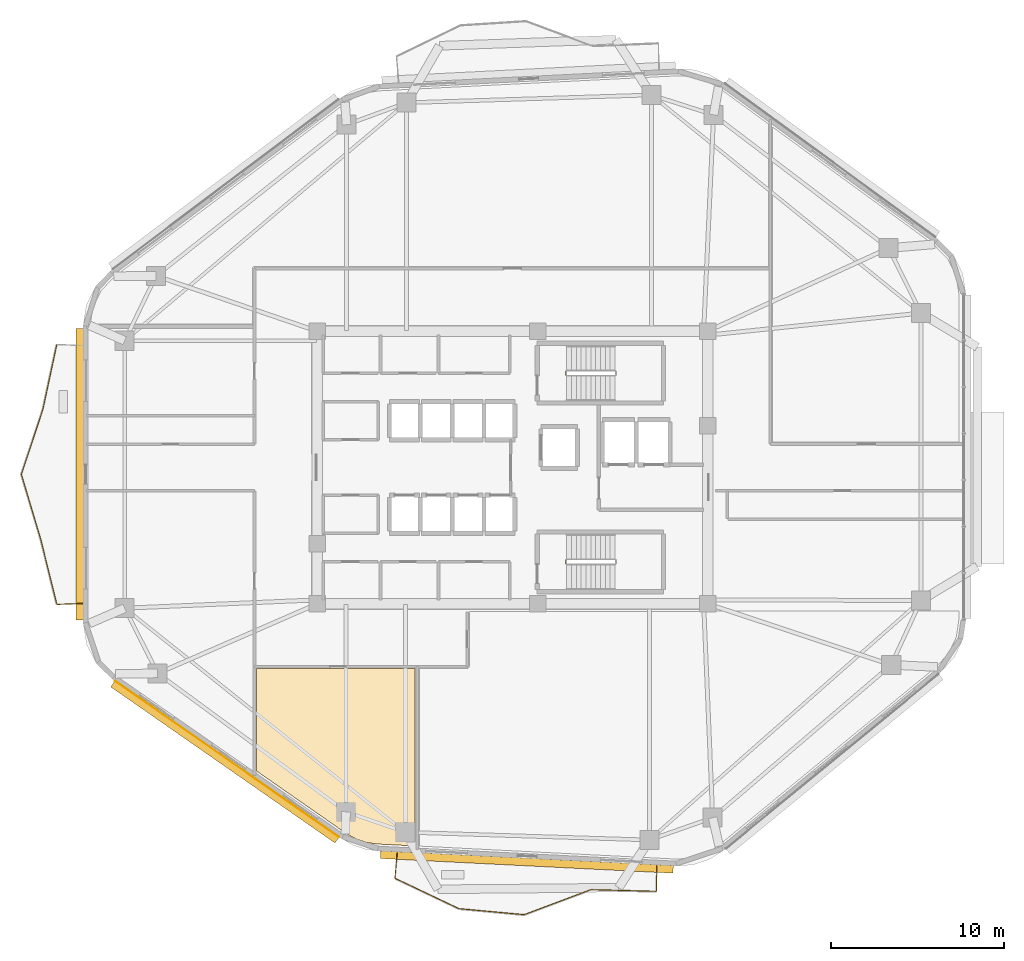
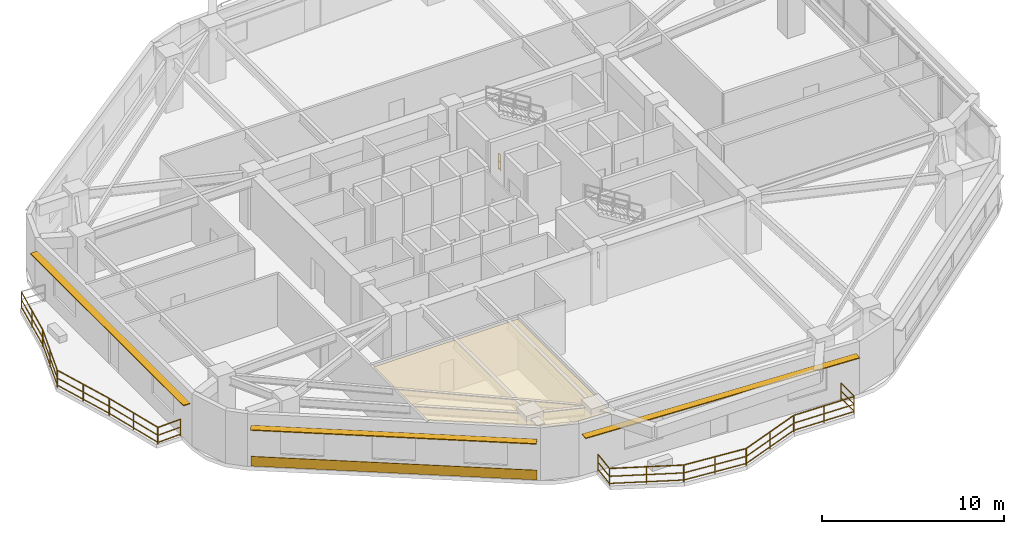
# One storey, part 13 of 15: 13 railings, 3 shading devices, 2 coverings.
"""IFC4 building model written with IfcOpenShell, lengths in metres."""

from ifc_helpers import new_model, si_unit, direction, frame, origin, origin_2d, place, context, subcontext, project, spatial, polyline, rectangle, outline, extrude, material, layer, layer_set, type_object, element, save


model = new_model("IFC4")

# Units and contexts
model_context = context("Model", 3, precision=1e-05, world=origin(), true_north=direction((0.0, 1.0)))
body_context = subcontext(model_context, "Body", "Model", "MODEL_VIEW")
ifc_project = project(units=[si_unit("LENGTHUNIT", "METRE"), si_unit("AREAUNIT", "SQUARE_METRE"), si_unit("VOLUMEUNIT", "CUBIC_METRE"), si_unit("PLANEANGLEUNIT", "RADIAN"), si_unit("MASSUNIT", "GRAM", prefix="KILO")], contexts=[model_context])

# Site, building, storey
site_placement = place(None, origin())
site = spatial("IfcSite", under=ifc_project, at=site_placement, CompositionType="ELEMENT")
building_placement = place(site_placement, origin())
building = spatial("IfcBuilding", under=site, at=building_placement, Name="Zulverin Broadcast Headquarters", CompositionType="ELEMENT")
storey_placement = place(building_placement, frame((0.0, 0.0, 132.60009765625)))
storey = spatial("IfcBuildingStorey", under=building, at=storey_placement, Name="L33", CompositionType="ELEMENT", Elevation=132.60009765625)

# Coverings
ifc_material_1 = material(Name="Perforated pale-metal acoustic baffle ceiling", Category="aluminium")
ifc_layer_1 = layer(ifc_material_1, 0.0400390625, Name="Perforated pale-metal acoustic baffle ceiling", Category="aluminium")
ifc_layer_set_1 = layer_set([ifc_layer_1], Name="Perforated pale-metal acoustic baffle ceiling")
covering_type_1 = type_object("IfcCoveringType", Name="COV-CEIL-ACOU", PredefinedType="CEILING", material=ifc_layer_set_1)
covering_1_placement = place(storey_placement, frame((0.0, 0.0, 3.35986328125)))
element("IfcCovering", 1, at=covering_1_placement, inside=storey, type_object=covering_type_1, Name="L33 Acoustic Baffle Ceiling 02", PredefinedType="CEILING", context=body_context, shape_type="SweptSolid", body=[
    extrude(outline(polyline([(27.947998046875, 3.748046875), (28.56396484375, 3.535888671875), (29.22802734375, 3.444091796875), (31.3798828125, 3.3359375), (31.3798828125, 13.580078125), (22.219970703125, 13.580078125), (22.219970703125, 7.6640625), (27.367919921875, 4.075927734375), (27.947998046875, 3.748046875)])), origin(), (0.0, 0.0, 1.0), 0.0400390625),
])
ifc_material_2 = material(Name="Brushed pale-aluminium rainscreen cladding", Category="aluminium")
ifc_layer_2 = layer(ifc_material_2, 0.0400390625, Name="Brushed pale-aluminium rainscreen cladding", Category="aluminium")
ifc_layer_set_2 = layer_set([ifc_layer_2], Name="Brushed pale-aluminium rainscreen cladding")
covering_type_2 = type_object("IfcCoveringType", Name="COV-CLAD-PALE", PredefinedType="CLADDING", material=ifc_layer_set_2)
covering_2_placement = place(storey_placement, frame((20.507568359375, 8.35400390625, 0.054931640625), z_axis=(0.0, 0.0, 1.0), x_axis=(0.820695732456, -0.57136548262, 0.0)))
element("IfcCovering", 2, at=covering_2_placement, inside=storey, type_object=covering_type_2, Name="L33 Brushed Pale-Aluminium Spandrel Cladding 8", PredefinedType="CLADDING", context=body_context, shape_type="SweptSolid", body=[
    extrude(rectangle(XDim=15.785400390625, YDim=0.0400390625, at=origin_2d()), origin(), (0.0, 0.0, 1.0), 0.64990234375),
])

# Railings
ifc_material_3 = material(Name="Brushed stainless steel & laminated glass balustrade", Category="steel")
railing_type_1 = type_object("IfcRailingType", Name="RL-GUARD-1150", PredefinedType="GUARDRAIL", material=ifc_material_3)
railing_1_placement = place(storey_placement, frame((10.677001953125, 32.30419921875, 0.0)))
element("IfcRailing", 3, at=railing_1_placement, inside=storey, type_object=railing_type_1, Name="L33 Vertical-Forest Balcony Guardrail BAL_W Segment 02", PredefinedType="GUARDRAIL", context=body_context, shape_type="SweptSolid", body=[
    extrude(rectangle(XDim=0.048095703125, YDim=0.048095703125, at=origin_2d()), frame((0.0, 0.0, 1.1259765625), z_axis=(-0.209555323477, -0.977796791978, 0.0), x_axis=(0.977796791978, -0.209555323477, 0.0)), (0.0, 0.0, 1.0), 3.813232421875),
    extrude(rectangle(XDim=0.0419921875, YDim=0.0419921875, at=origin_2d()), frame((0.0, 0.0, 0.597900390625), z_axis=(-0.209555323477, -0.977796791978, 0.0), x_axis=(0.977796791978, -0.209555323477, 0.0)), (0.0, 0.0, 1.0), 3.813232421875),
    extrude(rectangle(XDim=0.0419921875, YDim=0.0419921875, at=origin_2d()), frame((0.0, 0.0, 0.1201171875), z_axis=(-0.209555323477, -0.977796791978, 0.0), x_axis=(0.977796791978, -0.209555323477, 0.0)), (0.0, 0.0, 1.0), 3.813232421875),
    extrude(rectangle(XDim=0.0419921875, YDim=0.0419921875, at=origin_2d()), origin(), (0.0, 0.0, 1.0), 1.101806640625),
    extrude(rectangle(XDim=0.0419921875, YDim=0.0419921875, at=origin_2d()), frame((-0.3994140625, -1.8642578125, 0.0)), (0.0, 0.0, 1.0), 1.101806640625),
    extrude(rectangle(XDim=0.0419921875, YDim=0.0419921875, at=origin_2d()), frame((-0.799072265625, -3.728515625, 0.0)), (0.0, 0.0, 1.0), 1.101806640625),
])
railing_2_placement = place(storey_placement, frame((9.8701171875, 28.546630859375, 0.0)))
element("IfcRailing", 4, at=railing_2_placement, inside=storey, type_object=railing_type_1, Name="L33 Vertical-Forest Balcony Guardrail BAL_W Segment 03", PredefinedType="GUARDRAIL", context=body_context, shape_type="SweptSolid", body=[
    extrude(rectangle(XDim=0.048095703125, YDim=0.048095703125, at=origin_2d()), frame((0.0, 0.0, 1.1259765625), z_axis=(-0.314437519407, -0.949278171238, 0.0), x_axis=(0.949278171238, -0.314437519407, 0.0)), (0.0, 0.0, 1.0), 3.9287109375),
    extrude(rectangle(XDim=0.0419921875, YDim=0.0419921875, at=origin_2d()), frame((0.0, 0.0, 0.597900390625), z_axis=(-0.314437519407, -0.949278171238, 0.0), x_axis=(0.949278171238, -0.314437519407, 0.0)), (0.0, 0.0, 1.0), 3.9287109375),
    extrude(rectangle(XDim=0.0419921875, YDim=0.0419921875, at=origin_2d()), frame((0.0, 0.0, 0.1201171875), z_axis=(-0.314437519407, -0.949278171238, 0.0), x_axis=(0.949278171238, -0.314437519407, 0.0)), (0.0, 0.0, 1.0), 3.9287109375),
    extrude(rectangle(XDim=0.0419921875, YDim=0.0419921875, at=origin_2d()), origin(), (0.0, 0.0, 1.0), 1.101806640625),
    extrude(rectangle(XDim=0.0419921875, YDim=0.0419921875, at=origin_2d()), frame((-0.61767578125, -1.86474609375, 0.0)), (0.0, 0.0, 1.0), 1.101806640625),
    extrude(rectangle(XDim=0.0419921875, YDim=0.0419921875, at=origin_2d()), frame((-1.2353515625, -3.7294921875, 0.0)), (0.0, 0.0, 1.0), 1.101806640625),
])
railing_3_placement = place(storey_placement, frame((8.63427734375, 24.78857421875, 0.0)))
element("IfcRailing", 5, at=railing_3_placement, inside=storey, type_object=railing_type_1, Name="L33 Vertical-Forest Balcony Guardrail BAL_W Segment 04", PredefinedType="GUARDRAIL", context=body_context, shape_type="SweptSolid", body=[
    extrude(rectangle(XDim=0.048095703125, YDim=0.048095703125, at=origin_2d()), frame((0.0, 0.0, 1.1259765625), z_axis=(0.285764691988, -0.958299817809, 0.0), x_axis=(0.958299817809, 0.285764691988, 0.0)), (0.0, 0.0, 1.0), 3.8916015625),
    extrude(rectangle(XDim=0.0419921875, YDim=0.0419921875, at=origin_2d()), frame((0.0, 0.0, 0.597900390625), z_axis=(0.285764691988, -0.958299817809, 0.0), x_axis=(0.958299817809, 0.285764691988, 0.0)), (0.0, 0.0, 1.0), 3.8916015625),
    extrude(rectangle(XDim=0.0419921875, YDim=0.0419921875, at=origin_2d()), frame((0.0, 0.0, 0.1201171875), z_axis=(0.285764691988, -0.958299817809, 0.0), x_axis=(0.958299817809, 0.285764691988, 0.0)), (0.0, 0.0, 1.0), 3.8916015625),
    extrude(rectangle(XDim=0.0419921875, YDim=0.0419921875, at=origin_2d()), origin(), (0.0, 0.0, 1.0), 1.101806640625),
    extrude(rectangle(XDim=0.0419921875, YDim=0.0419921875, at=origin_2d()), frame((0.55615234375, -1.86474609375, 0.0)), (0.0, 0.0, 1.0), 1.101806640625),
    extrude(rectangle(XDim=0.0419921875, YDim=0.0419921875, at=origin_2d()), frame((1.112060546875, -3.729248046875, 0.0)), (0.0, 0.0, 1.0), 1.101806640625),
])
railing_4_placement = place(storey_placement, frame((9.754150390625, 21.0302734375, 0.0)))
element("IfcRailing", 6, at=railing_4_placement, inside=storey, type_object=railing_type_1, Name="L33 Vertical-Forest Balcony Guardrail BAL_W Segment 05", PredefinedType="GUARDRAIL", context=body_context, shape_type="SweptSolid", body=[
    extrude(rectangle(XDim=0.048095703125, YDim=0.048095703125, at=origin_2d()), frame((0.0, 0.0, 1.1259765625), z_axis=(0.24012710156, -0.97074145636, 0.0), x_axis=(0.97074145636, 0.24012710156, 0.0)), (0.0, 0.0, 1.0), 3.841064453125),
    extrude(rectangle(XDim=0.0419921875, YDim=0.0419921875, at=origin_2d()), frame((0.0, 0.0, 0.597900390625), z_axis=(0.24012710156, -0.97074145636, 0.0), x_axis=(0.97074145636, 0.24012710156, 0.0)), (0.0, 0.0, 1.0), 3.841064453125),
    extrude(rectangle(XDim=0.0419921875, YDim=0.0419921875, at=origin_2d()), frame((0.0, 0.0, 0.1201171875), z_axis=(0.24012710156, -0.97074145636, 0.0), x_axis=(0.97074145636, 0.24012710156, 0.0)), (0.0, 0.0, 1.0), 3.841064453125),
    extrude(rectangle(XDim=0.0419921875, YDim=0.0419921875, at=origin_2d()), origin(), (0.0, 0.0, 1.0), 1.101806640625),
    extrude(rectangle(XDim=0.0419921875, YDim=0.0419921875, at=origin_2d()), frame((0.461181640625, -1.8642578125, 0.0)), (0.0, 0.0, 1.0), 1.101806640625),
    extrude(rectangle(XDim=0.0419921875, YDim=0.0419921875, at=origin_2d()), frame((0.92236328125, -3.728759765625, 0.0)), (0.0, 0.0, 1.0), 1.101806640625),
])
railing_5_placement = place(storey_placement, frame((10.695068359375, 17.28759765625, 0.0)))
element("IfcRailing", 7, at=railing_5_placement, inside=storey, type_object=railing_type_1, Name="L33 Vertical-Forest Balcony Guardrail BAL_W Segment 06", PredefinedType="GUARDRAIL", context=body_context, shape_type="SweptSolid", body=[
    extrude(rectangle(XDim=0.048095703125, YDim=0.048095703125, at=origin_2d()), frame((0.0, 0.0, 1.1259765625), z_axis=(0.99918088253, 0.040466825742, 0.0), x_axis=(-0.040466825742, 0.99918088253, 0.0)), (0.0, 0.0, 1.0), 1.466064453125),
    extrude(rectangle(XDim=0.0419921875, YDim=0.0419921875, at=origin_2d()), frame((0.0, 0.0, 0.597900390625), z_axis=(0.99918088253, 0.040466825742, 0.0), x_axis=(-0.040466825742, 0.99918088253, 0.0)), (0.0, 0.0, 1.0), 1.466064453125),
    extrude(rectangle(XDim=0.0419921875, YDim=0.0419921875, at=origin_2d()), frame((0.0, 0.0, 0.1201171875), z_axis=(0.99918088253, 0.040466825742, 0.0), x_axis=(-0.040466825742, 0.99918088253, 0.0)), (0.0, 0.0, 1.0), 1.466064453125),
    extrude(rectangle(XDim=0.0419921875, YDim=0.0419921875, at=origin_2d()), origin(), (0.0, 0.0, 1.0), 1.101806640625),
    extrude(rectangle(XDim=0.0419921875, YDim=0.0419921875, at=origin_2d()), frame((1.46484375, 0.059326171875, 0.0)), (0.0, 0.0, 1.0), 1.101806640625),
])
railing_6_placement = place(storey_placement, frame((30.344482421875, 2.94580078125, 0.0)))
element("IfcRailing", 8, at=railing_6_placement, inside=storey, type_object=railing_type_1, Name="L33 Vertical-Forest Balcony Guardrail BAL_S Segment 01", PredefinedType="GUARDRAIL", context=body_context, shape_type="SweptSolid", body=[
    extrude(rectangle(XDim=0.048095703125, YDim=0.048095703125, at=origin_2d()), frame((0.0, 0.0, 1.1259765625), z_axis=(-0.090580785215, -0.995889110971, 0.0), x_axis=(0.995889110971, -0.090580785215, 0.0)), (0.0, 0.0, 1.0), 1.46630859375),
    extrude(rectangle(XDim=0.0419921875, YDim=0.0419921875, at=origin_2d()), frame((0.0, 0.0, 0.597900390625), z_axis=(-0.090580785215, -0.995889110971, 0.0), x_axis=(0.995889110971, -0.090580785215, 0.0)), (0.0, 0.0, 1.0), 1.46630859375),
    extrude(rectangle(XDim=0.0419921875, YDim=0.0419921875, at=origin_2d()), frame((0.0, 0.0, 0.1201171875), z_axis=(-0.090580785215, -0.995889110971, 0.0), x_axis=(0.995889110971, -0.090580785215, 0.0)), (0.0, 0.0, 1.0), 1.46630859375),
    extrude(rectangle(XDim=0.0419921875, YDim=0.0419921875, at=origin_2d()), origin(), (0.0, 0.0, 1.0), 1.101806640625),
    extrude(rectangle(XDim=0.0419921875, YDim=0.0419921875, at=origin_2d()), frame((-0.1328125, -1.460205078125, 0.0)), (0.0, 0.0, 1.0), 1.101806640625),
])
railing_7_placement = place(storey_placement, frame((30.223876953125, 1.46435546875, 0.0)))
element("IfcRailing", 9, at=railing_7_placement, inside=storey, type_object=railing_type_1, Name="L33 Vertical-Forest Balcony Guardrail BAL_S Segment 02", PredefinedType="GUARDRAIL", context=body_context, shape_type="SweptSolid", body=[
    extrude(rectangle(XDim=0.048095703125, YDim=0.048095703125, at=origin_2d()), frame((0.0, 0.0, 1.1259765625), z_axis=(0.903194299742, -0.429231938367, 0.0), x_axis=(0.429231938367, 0.903194299742, 0.0)), (0.0, 0.0, 1.0), 4.066162109375),
    extrude(rectangle(XDim=0.0419921875, YDim=0.0419921875, at=origin_2d()), frame((0.0, 0.0, 0.597900390625), z_axis=(0.903194299742, -0.429231938367, 0.0), x_axis=(0.429231938367, 0.903194299742, 0.0)), (0.0, 0.0, 1.0), 4.066162109375),
    extrude(rectangle(XDim=0.0419921875, YDim=0.0419921875, at=origin_2d()), frame((0.0, 0.0, 0.1201171875), z_axis=(0.903194299742, -0.429231938367, 0.0), x_axis=(0.429231938367, 0.903194299742, 0.0)), (0.0, 0.0, 1.0), 4.066162109375),
    extrude(rectangle(XDim=0.0419921875, YDim=0.0419921875, at=origin_2d()), origin(), (0.0, 0.0, 1.0), 1.101806640625),
    extrude(rectangle(XDim=0.0419921875, YDim=0.0419921875, at=origin_2d()), frame((1.83642578125, -0.87255859375, 0.0)), (0.0, 0.0, 1.0), 1.101806640625),
    extrude(rectangle(XDim=0.0419921875, YDim=0.0419921875, at=origin_2d()), frame((3.672607421875, -1.745361328125, 0.0)), (0.0, 0.0, 1.0), 1.101806640625),
])
railing_8_placement = place(storey_placement, frame((33.925048828125, -0.288818359375, 0.0)))
element("IfcRailing", 10, at=railing_8_placement, inside=storey, type_object=railing_type_1, Name="L33 Vertical-Forest Balcony Guardrail BAL_S Segment 03", PredefinedType="GUARDRAIL", context=body_context, shape_type="SweptSolid", body=[
    extrude(rectangle(XDim=0.048095703125, YDim=0.048095703125, at=origin_2d()), frame((0.0, 0.0, 1.1259765625), z_axis=(0.995792447047, -0.091637341753, 0.0), x_axis=(0.091637341753, 0.995792447047, 0.0)), (0.0, 0.0, 1.0), 3.756591796875),
    extrude(rectangle(XDim=0.0419921875, YDim=0.0419921875, at=origin_2d()), frame((0.0, 0.0, 0.597900390625), z_axis=(0.995792447047, -0.091637341753, 0.0), x_axis=(0.091637341753, 0.995792447047, 0.0)), (0.0, 0.0, 1.0), 3.756591796875),
    extrude(rectangle(XDim=0.0419921875, YDim=0.0419921875, at=origin_2d()), frame((0.0, 0.0, 0.1201171875), z_axis=(0.995792447047, -0.091637341753, 0.0), x_axis=(0.091637341753, 0.995792447047, 0.0)), (0.0, 0.0, 1.0), 3.756591796875),
    extrude(rectangle(XDim=0.0419921875, YDim=0.0419921875, at=origin_2d()), origin(), (0.0, 0.0, 1.0), 1.101806640625),
    extrude(rectangle(XDim=0.0419921875, YDim=0.0419921875, at=origin_2d()), frame((1.870361328125, -0.172119140625, 0.0)), (0.0, 0.0, 1.0), 1.101806640625),
    extrude(rectangle(XDim=0.0419921875, YDim=0.0419921875, at=origin_2d()), frame((3.74072265625, -0.34423828125, 0.0)), (0.0, 0.0, 1.0), 1.101806640625),
])
railing_9_placement = place(storey_placement, frame((37.694580078125, -0.629150390625, 0.0)))
element("IfcRailing", 11, at=railing_9_placement, inside=storey, type_object=railing_type_1, Name="L33 Vertical-Forest Balcony Guardrail BAL_S Segment 04", PredefinedType="GUARDRAIL", context=body_context, shape_type="SweptSolid", body=[
    extrude(rectangle(XDim=0.048095703125, YDim=0.048095703125, at=origin_2d()), frame((0.0, 0.0, 1.1259765625), z_axis=(0.936422300312, 0.350875014042, 0.0), x_axis=(-0.350875014042, 0.936422300312, 0.0)), (0.0, 0.0, 1.0), 4.0927734375),
    extrude(rectangle(XDim=0.0419921875, YDim=0.0419921875, at=origin_2d()), frame((0.0, 0.0, 0.597900390625), z_axis=(0.936422300312, 0.350875014042, 0.0), x_axis=(-0.350875014042, 0.936422300312, 0.0)), (0.0, 0.0, 1.0), 4.0927734375),
    extrude(rectangle(XDim=0.0419921875, YDim=0.0419921875, at=origin_2d()), frame((0.0, 0.0, 0.1201171875), z_axis=(0.936422300312, 0.350875014042, 0.0), x_axis=(-0.350875014042, 0.936422300312, 0.0)), (0.0, 0.0, 1.0), 4.0927734375),
    extrude(rectangle(XDim=0.0419921875, YDim=0.0419921875, at=origin_2d()), origin(), (0.0, 0.0, 1.0), 1.101806640625),
    extrude(rectangle(XDim=0.0419921875, YDim=0.0419921875, at=origin_2d()), frame((1.916259765625, 0.718017578125, 0.0)), (0.0, 0.0, 1.0), 1.101806640625),
    extrude(rectangle(XDim=0.0419921875, YDim=0.0419921875, at=origin_2d()), frame((3.83251953125, 1.43603515625, 0.0)), (0.0, 0.0, 1.0), 1.101806640625),
])
railing_10_placement = place(storey_placement, frame((41.55615234375, 0.811767578125, 0.0)))
element("IfcRailing", 12, at=railing_10_placement, inside=storey, type_object=railing_type_1, Name="L33 Vertical-Forest Balcony Guardrail BAL_S Segment 05", PredefinedType="GUARDRAIL", context=body_context, shape_type="SweptSolid", body=[
    extrude(rectangle(XDim=0.048095703125, YDim=0.048095703125, at=origin_2d()), frame((0.0, 0.0, 1.1259765625), z_axis=(0.999653108807, -0.02633746481, 0.0), x_axis=(0.02633746481, 0.999653108807, 0.0)), (0.0, 0.0, 1.0), 3.754150390625),
    extrude(rectangle(XDim=0.0419921875, YDim=0.0419921875, at=origin_2d()), frame((0.0, 0.0, 0.597900390625), z_axis=(0.999653108807, -0.02633746481, 0.0), x_axis=(0.02633746481, 0.999653108807, 0.0)), (0.0, 0.0, 1.0), 3.754150390625),
    extrude(rectangle(XDim=0.0419921875, YDim=0.0419921875, at=origin_2d()), frame((0.0, 0.0, 0.1201171875), z_axis=(0.999653108807, -0.02633746481, 0.0), x_axis=(0.02633746481, 0.999653108807, 0.0)), (0.0, 0.0, 1.0), 3.754150390625),
    extrude(rectangle(XDim=0.0419921875, YDim=0.0419921875, at=origin_2d()), origin(), (0.0, 0.0, 1.0), 1.101806640625),
    extrude(rectangle(XDim=0.0419921875, YDim=0.0419921875, at=origin_2d()), frame((1.87646484375, -0.04931640625, 0.0)), (0.0, 0.0, 1.0), 1.101806640625),
    extrude(rectangle(XDim=0.0419921875, YDim=0.0419921875, at=origin_2d()), frame((3.7529296875, -0.098876953125, 0.0)), (0.0, 0.0, 1.0), 1.101806640625),
])
railing_11_placement = place(storey_placement, frame((45.32421875, 0.7275390625, 0.0)))
element("IfcRailing", 13, at=railing_11_placement, inside=storey, type_object=railing_type_1, Name="L33 Vertical-Forest Balcony Guardrail BAL_S Segment 06", PredefinedType="GUARDRAIL", context=body_context, shape_type="SweptSolid", body=[
    extrude(rectangle(XDim=0.048095703125, YDim=0.048095703125, at=origin_2d()), frame((0.0, 0.0, 1.1259765625), z_axis=(0.009658167329, 0.999953358814, 0.0), x_axis=(-0.999953358814, 0.009658167329, 0.0)), (0.0, 0.0, 1.0), 1.466064453125),
    extrude(rectangle(XDim=0.0419921875, YDim=0.0419921875, at=origin_2d()), frame((0.0, 0.0, 0.597900390625), z_axis=(0.009658167329, 0.999953358814, 0.0), x_axis=(-0.999953358814, 0.009658167329, 0.0)), (0.0, 0.0, 1.0), 1.466064453125),
    extrude(rectangle(XDim=0.0419921875, YDim=0.0419921875, at=origin_2d()), frame((0.0, 0.0, 0.1201171875), z_axis=(0.009658167329, 0.999953358814, 0.0), x_axis=(-0.999953358814, 0.009658167329, 0.0)), (0.0, 0.0, 1.0), 1.466064453125),
    extrude(rectangle(XDim=0.0419921875, YDim=0.0419921875, at=origin_2d()), origin(), (0.0, 0.0, 1.0), 1.101806640625),
    extrude(rectangle(XDim=0.0419921875, YDim=0.0419921875, at=origin_2d()), frame((0.01416015625, 1.466064453125, 0.0)), (0.0, 0.0, 1.0), 1.101806640625),
])
ifc_material_4 = material(Name="Painted galvanized steel tubular guardrail S355JR", Category="steel")
railing_type_2 = type_object("IfcRailingType", Name="RL-ST-GUARD", PredefinedType="GUARDRAIL", material=ifc_material_4)
railing_12_placement = place(storey_placement, frame((40.080078125, 30.550048828125, 0.0)))
element("IfcRailing", 14, at=railing_12_placement, inside=storey, type_object=railing_type_2, Name="L33 ST-1 stair guard 4", PredefinedType="GUARDRAIL", context=body_context, shape_type="SweptSolid", body=[
    extrude(rectangle(XDim=0.048095703125, YDim=0.048095703125, at=origin_2d()), frame((0.0, 0.0, 1.076171875), z_axis=(0.0, 1.0, 0.0), x_axis=(-1.0, 0.0, 0.0)), (0.0, 0.0, 1.0), 0.199951171875),
    extrude(rectangle(XDim=0.0419921875, YDim=0.0419921875, at=origin_2d()), frame((0.0, 0.0, 0.572021484375), z_axis=(0.0, 1.0, 0.0), x_axis=(-1.0, 0.0, 0.0)), (0.0, 0.0, 1.0), 0.199951171875),
    extrude(rectangle(XDim=0.0419921875, YDim=0.0419921875, at=origin_2d()), frame((0.0, 0.0, 0.1201171875), z_axis=(0.0, 1.0, 0.0), x_axis=(-1.0, 0.0, 0.0)), (0.0, 0.0, 1.0), 0.199951171875),
    extrude(rectangle(XDim=0.0419921875, YDim=0.0419921875, at=origin_2d()), origin(), (0.0, 0.0, 1.0), 1.052001953125),
    extrude(rectangle(XDim=0.0419921875, YDim=0.0419921875, at=origin_2d()), frame((0.0, 0.199951171875, 0.0)), (0.0, 0.0, 1.0), 1.052001953125),
])
railing_13_placement = place(storey_placement, frame((40.080078125, 19.64990234375, 0.0)))
element("IfcRailing", 15, at=railing_13_placement, inside=storey, type_object=railing_type_2, Name="L33 ST-2 stair guard 4", PredefinedType="GUARDRAIL", context=body_context, shape_type="SweptSolid", body=[
    extrude(rectangle(XDim=0.048095703125, YDim=0.048095703125, at=origin_2d()), frame((0.0, 0.0, 1.076171875), z_axis=(0.0, 1.0, 0.0), x_axis=(-1.0, 0.0, 0.0)), (0.0, 0.0, 1.0), 0.2001953125),
    extrude(rectangle(XDim=0.0419921875, YDim=0.0419921875, at=origin_2d()), frame((0.0, 0.0, 0.572021484375), z_axis=(0.0, 1.0, 0.0), x_axis=(-1.0, 0.0, 0.0)), (0.0, 0.0, 1.0), 0.2001953125),
    extrude(rectangle(XDim=0.0419921875, YDim=0.0419921875, at=origin_2d()), frame((0.0, 0.0, 0.1201171875), z_axis=(0.0, 1.0, 0.0), x_axis=(-1.0, 0.0, 0.0)), (0.0, 0.0, 1.0), 0.2001953125),
    extrude(rectangle(XDim=0.0419921875, YDim=0.0419921875, at=origin_2d()), origin(), (0.0, 0.0, 1.0), 1.052001953125),
    extrude(rectangle(XDim=0.0419921875, YDim=0.0419921875, at=origin_2d()), frame((0.0, 0.2001953125, 0.0)), (0.0, 0.0, 1.0), 1.052001953125),
])

# Shading devices
ifc_material_5 = material(Name="Anodized pale-metal aluminium sunshade", Category="aluminium")
ifc_layer_3 = layer(ifc_material_5, 0.06005859375, Name="Anodized pale-metal aluminium sunshade", Category="aluminium")
ifc_layer_set_3 = layer_set([ifc_layer_3], Name="Anodized pale-metal aluminium sunshade")
shading_device_type = type_object("IfcShadingDeviceType", Name="SS-01_PALE_METAL_ALUMINIUM_SUNSHADE", PredefinedType="USERDEFINED", material=ifc_layer_set_3)
shading_device_1_placement = place(storey_placement, frame((37.83349609375, 2.409912109375, 2.7099609375), z_axis=(0.0, 0.0, 1.0), x_axis=(0.99874387485, -0.050106610841, 0.0)))
element("IfcShadingDevice", 16, at=shading_device_1_placement, inside=storey, type_object=shading_device_type, Name="L33 Horizontal Pale-Metal Sunshade Band 1", ObjectType="SUNSHADE", PredefinedType="USERDEFINED", context=body_context, shape_type="SweptSolid", body=[
    extrude(rectangle(XDim=16.932861328125, YDim=0.449951171875, at=origin_2d()), origin(), (0.0, 0.0, 1.0), 0.06005859375),
])
shading_device_2_placement = place(storey_placement, frame((12.0, 24.802978515625, 2.7099609375), z_axis=(0.0, 0.0, 1.0), x_axis=(0.0, -1.0, 0.0)))
element("IfcShadingDevice", 17, at=shading_device_2_placement, inside=storey, type_object=shading_device_type, Name="L33 Horizontal Pale-Metal Sunshade Band 7", ObjectType="SUNSHADE", PredefinedType="USERDEFINED", context=body_context, shape_type="SweptSolid", body=[
    extrude(rectangle(XDim=16.83203125, YDim=0.449951171875, at=origin_2d()), origin(), (0.0, 0.0, 1.0), 0.06005859375),
])
shading_device_3_placement = place(storey_placement, frame((20.399169921875, 8.1982421875, 2.7099609375), z_axis=(0.0, 0.0, 1.0), x_axis=(0.820695732456, -0.57136548262, 0.0)))
element("IfcShadingDevice", 18, at=shading_device_3_placement, inside=storey, type_object=shading_device_type, Name="L33 Horizontal Pale-Metal Sunshade Band 8", ObjectType="SUNSHADE", PredefinedType="USERDEFINED", context=body_context, shape_type="SweptSolid", body=[
    extrude(rectangle(XDim=15.785400390625, YDim=0.449951171875, at=origin_2d()), origin(), (0.0, 0.0, 1.0), 0.06005859375),
])

save(model, "model.ifc")
